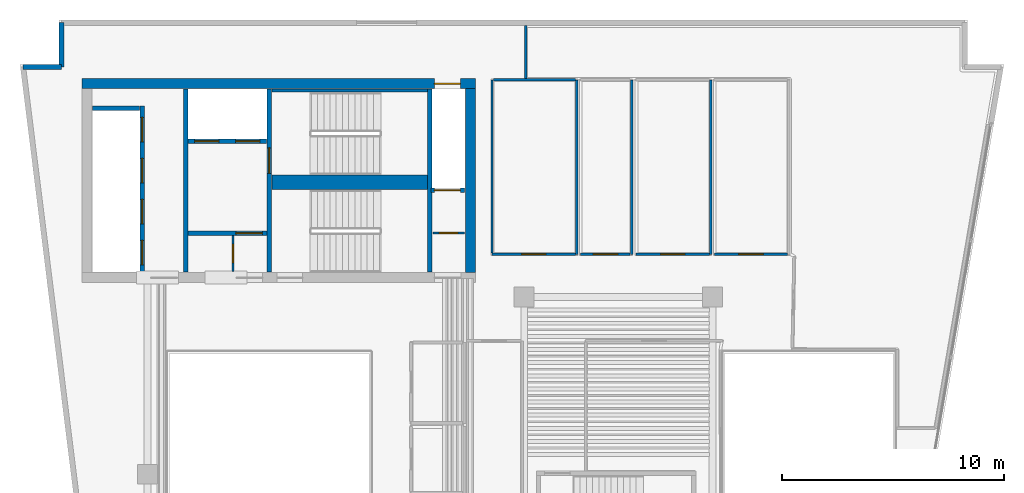
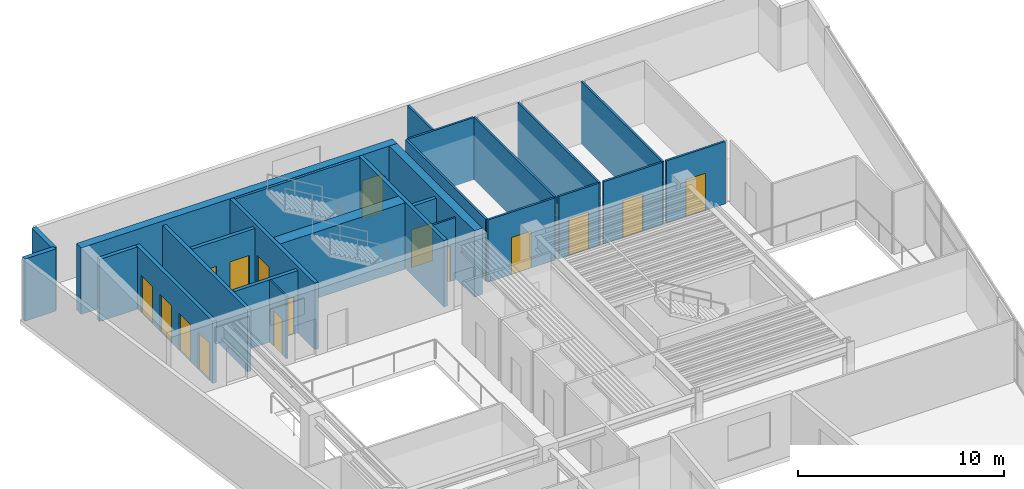
# One storey, part 5 of 9: 26 walls, 16 doors, 16 openings.
"""IFC4 building model written with IfcOpenShell, lengths in metres."""

from ifc_helpers import new_model, si_unit, direction, frame, frame_2d, origin, place, context, subcontext, project, spatial, rectangle, extrude, material, layer, layer_set, type_object, element, fill, save


model = new_model("IFC4")

# Units and contexts
model_context = context("Model", 3, precision=1e-05, world=origin(), true_north=direction((0.0, 1.0)))
body_context = subcontext(model_context, "Body", "Model", "MODEL_VIEW")
ifc_project = project(units=[si_unit("LENGTHUNIT", "METRE"), si_unit("AREAUNIT", "SQUARE_METRE"), si_unit("VOLUMEUNIT", "CUBIC_METRE"), si_unit("PLANEANGLEUNIT", "RADIAN"), si_unit("MASSUNIT", "GRAM", prefix="KILO")], contexts=[model_context])

# Site, building, storey
site_placement = place(None, origin())
site = spatial("IfcSite", under=ifc_project, at=site_placement, CompositionType="ELEMENT")
building_placement = place(site_placement, origin())
building = spatial("IfcBuilding", under=site, at=building_placement, Name="Caeloran Harvest Quay", CompositionType="ELEMENT")
storey_placement = place(building_placement, frame((0.0, 0.0, 231.14990234375)))
storey = spatial("IfcBuildingStorey", under=building, at=storey_placement, Name="L55", CompositionType="ELEMENT", Elevation=231.14990234375)

# Walls
ifc_material_1 = material(Name="Precast concrete C50/60", Category="concrete")
ifc_layer_1 = layer(ifc_material_1, 0.239990234375, Name="Precast concrete C50/60")
ifc_layer_set_1 = layer_set([ifc_layer_1], Name="Precast concrete C50/60")
wall_type_1 = type_object("IfcWallType", Name="ENV-WALL-EW-240", PredefinedType="STANDARD", material=ifc_layer_set_1)
wall_1_placement = place(storey_placement, frame((2.884765625, 41.3798828125, 0.0), z_axis=(0.0, 0.0, 1.0), x_axis=(1.0, 0.0, 0.0)))
element("IfcWall", 1, at=wall_1_placement, inside=storey, type_object=wall_type_1, Name="L55 Exterior Precast Concrete Facade Wall 4", PredefinedType="STANDARD", context=body_context, shape_type="SweptSolid", body=[
    extrude(rectangle(XDim=1.7353515625, YDim=0.239990234375, at=frame_2d((0.86767578125, 0.0))), origin(), (0.0, 0.0, 1.0), 3.7001953125),
])
wall_2_placement = place(storey_placement, frame((4.6201171875, 41.3798828125, 0.0), z_axis=(0.0, 0.0, 1.0), x_axis=(0.0, 1.0, 0.0)))
element("IfcWall", 2, at=wall_2_placement, inside=storey, type_object=wall_type_1, Name="L55 Exterior Precast Concrete Facade Wall 5", PredefinedType="STANDARD", context=body_context, shape_type="SweptSolid", body=[
    extrude(rectangle(XDim=2.0, YDim=0.239990234375, at=frame_2d((1.0, 0.0))), origin(), (0.0, 0.0, 1.0), 3.7001953125),
])

# Wall, opening, door
ifc_material_2 = material(Name="Fire-Resisting Gypsum Core Riser Partition", Category="gypsum")
ifc_layer_2 = layer(ifc_material_2, 0.10009765625, Name="Fire-Resisting Gypsum Core Riser Partition")
ifc_layer_set_2 = layer_set([ifc_layer_2], Name="Fire-Resisting Gypsum Core Riser Partition")
wall_type_2 = type_object("IfcWallType", Name="INT-WALL-PW-100", PredefinedType="PARTITIONING", material=ifc_layer_set_2)
wall_3_placement = place(storey_placement, frame((12.360107421875, 32.159912109375, 0.0), z_axis=(0.0, 0.0, 1.0), x_axis=(0.0, 1.0, 0.0)))
wall_3 = element("IfcWall", 3, at=wall_3_placement, inside=storey, type_object=wall_type_2, Name="L55 Core Store Partition Wall", PredefinedType="PARTITIONING", context=body_context, shape_type="SweptSolid", body=[
    extrude(rectangle(XDim=1.6201171875, YDim=0.10009765625, at=frame_2d((0.81005859375, 0.0))), origin(), (0.0, 0.0, 1.0), 3.7001953125),
])
opening_1_placement = place(wall_3_placement, frame((0.3798828125, 0.0, 0.0)))
opening_1 = element("IfcOpeningElement", 4, at=opening_1_placement, cuts=wall_3, Name="Opening SV-01", PredefinedType="OPENING", context=body_context, shape_type="SweptSolid", body=[
    extrude(rectangle(XDim=0.85009765625, YDim=2.10009765625, at=frame_2d((0.425048828125, 1.050048828125))), frame((0.0, 0.06005859375, 0.0), z_axis=(0.0, -1.0, 0.0), x_axis=(1.0, 0.0, 0.0)), (0.0, 0.0, 1.0), 0.1201171875),
])
ifc_material_3 = material(Name="Galvanized Painted Steel", Category="steel")
door_type_1 = type_object("IfcDoorType", Name="INTDOOR-SV-01", OperationType="NOTDEFINED", PredefinedType="DOOR", material=ifc_material_3)
door_1_placement = place(opening_1_placement, origin())
door_1 = element("IfcDoor", 5, at=door_1_placement, inside=storey, type_object=door_type_1, Name="L55 Core Service Room Access Door", OperationType="SINGLE_SWING_LEFT", OverallHeight=2.10009765625, OverallWidth=0.85009765625, PredefinedType="DOOR", context=body_context, shape_type="SweptSolid", body=[
    extrude(rectangle(XDim=0.85009765625, YDim=2.10009765625, at=frame_2d((0.425048828125, 1.050048828125))), frame((0.0, 0.02490234375, 0.0), z_axis=(0.0, -1.0, 0.0), x_axis=(1.0, 0.0, 0.0)), (0.0, 0.0, 1.0), 0.050048828125),
])
fill(opening_1, door_1)

wall_4_placement = place(storey_placement, frame((21.3798828125, 33.889892578125, 0.0), z_axis=(0.0, 0.0, 1.0), x_axis=(1.0, 0.0, 0.0)))
wall_4 = element("IfcWall", 6, at=wall_4_placement, inside=storey, type_object=wall_type_2, Name="L55 Cleaner Store Partition Wall", PredefinedType="PARTITIONING", context=body_context, shape_type="SweptSolid", body=[
    extrude(rectangle(XDim=1.420166015625, YDim=0.10009765625, at=frame_2d((0.7099609375, 0.0))), origin(), (0.0, 0.0, 1.0), 3.7001953125),
])
opening_2_placement = place(wall_4_placement, frame((0.280029296875, 0.0, 0.0)))
opening_2 = element("IfcOpeningElement", 7, at=opening_2_placement, cuts=wall_4, Name="Opening SV-01", PredefinedType="OPENING", context=body_context, shape_type="SweptSolid", body=[
    extrude(rectangle(XDim=0.85009765625, YDim=2.10009765625, at=frame_2d((0.425048828125, 1.050048828125))), frame((0.0, 0.06005859375, 0.0), z_axis=(0.0, -1.0, 0.0), x_axis=(1.0, 0.0, 0.0)), (0.0, 0.0, 1.0), 0.1201171875),
])
door_2_placement = place(opening_2_placement, origin())
door_2 = element("IfcDoor", 8, at=door_2_placement, inside=storey, type_object=door_type_1, Name="L55 Cleaner Supply Store Access Door", OperationType="SINGLE_SWING_RIGHT", OverallHeight=2.10009765625, OverallWidth=0.85009765625, PredefinedType="DOOR", context=body_context, shape_type="SweptSolid", body=[
    extrude(rectangle(XDim=0.85009765625, YDim=2.10009765625, at=frame_2d((0.425048828125, 1.050048828125))), frame((0.0, 0.02490234375, 0.0), z_axis=(0.0, -1.0, 0.0), x_axis=(1.0, 0.0, 0.0)), (0.0, 0.0, 1.0), 0.050048828125),
])
fill(opening_2, door_2)

# Wall
ifc_material_4 = material(Name="Single-Stud Acoustic Gypsum Office Partition", Category="gypsum")
ifc_layer_3 = layer(ifc_material_4, 0.112060546875, Name="Single-Stud Acoustic Gypsum Office Partition")
ifc_layer_set_3 = layer_set([ifc_layer_3], Name="Single-Stud Acoustic Gypsum Office Partition")
wall_type_3 = type_object("IfcWallType", Name="INT-WALL-PW-112", PredefinedType="PARTITIONING", material=ifc_layer_set_3)
wall_5_placement = place(storey_placement, frame((27.8798828125, 40.800048828125, 0.0), z_axis=(0.0, 0.0, 1.0), x_axis=(0.0, -1.0, 0.0)))
element("IfcWall", 9, at=wall_5_placement, inside=storey, type_object=wall_type_3, Name="L55 Crop Phenotyping West Laboratory Partition Wall", PredefinedType="PARTITIONING", context=body_context, shape_type="SweptSolid", body=[
    extrude(rectangle(XDim=7.880126953125, YDim=0.112060546875, at=frame_2d((3.93994140625, 0.0))), origin(), (0.0, 0.0, 1.0), 3.7001953125),
])

# Wall, opening, door
wall_6_placement = place(storey_placement, frame((27.819091796875, 32.919921875, 0.0), z_axis=(0.0, 0.0, 1.0), x_axis=(-1.0, 0.0, 0.0)))
wall_6 = element("IfcWall", 10, at=wall_6_placement, inside=storey, type_object=wall_type_3, Name="L55 Crop Phenotyping West Laboratory Partition Wall", PredefinedType="PARTITIONING", context=body_context, shape_type="SweptSolid", body=[
    extrude(rectangle(XDim=3.76904296875, YDim=0.112060546875, at=frame_2d((1.884521484375, 0.0))), origin(), (0.0, 0.0, 1.0), 3.7001953125),
])
opening_3_placement = place(wall_6_placement, frame((1.33447265625, 0.0, 0.0)))
opening_3 = element("IfcOpeningElement", 11, at=opening_3_placement, cuts=wall_6, Name="Opening ID-04", PredefinedType="OPENING", context=body_context, shape_type="SweptSolid", body=[
    extrude(rectangle(XDim=1.10009765625, YDim=2.199951171875, at=frame_2d((0.550048828125, 1.10009765625))), frame((0.0, 0.06591796875, 0.0), z_axis=(0.0, -1.0, 0.0), x_axis=(1.0, 0.0, 0.0)), (0.0, 0.0, 1.0), 0.132080078125),
])
ifc_material_5 = material(Name="Acoustic Walnut Veneer Executive Door", Category="wood")
door_type_2 = type_object("IfcDoorType", Name="INTDOOR-ID-04", OperationType="NOTDEFINED", PredefinedType="DOOR", material=ifc_material_5)
door_3_placement = place(opening_3_placement, origin())
door_3 = element("IfcDoor", 12, at=door_3_placement, inside=storey, type_object=door_type_2, Name="L55 Crop Phenotyping West Laboratory Access Door", OperationType="SINGLE_SWING_LEFT", OverallHeight=2.199951171875, OverallWidth=1.10009765625, PredefinedType="DOOR", context=body_context, shape_type="SweptSolid", body=[
    extrude(rectangle(XDim=1.10009765625, YDim=2.199951171875, at=frame_2d((0.550048828125, 1.10009765625))), frame((0.0, 0.02490234375, 0.0), z_axis=(0.0, -1.0, 0.0), x_axis=(1.0, 0.0, 0.0)), (0.0, 0.0, 1.0), 0.050048828125),
])
fill(opening_3, door_3)

# Walls
wall_7_placement = place(storey_placement, frame((24.050048828125, 32.98095703125, 0.0), z_axis=(0.0, 0.0, 1.0), x_axis=(0.0, 1.0, 0.0)))
element("IfcWall", 13, at=wall_7_placement, inside=storey, type_object=wall_type_3, Name="L55 Crop Phenotyping West Laboratory Partition Wall", PredefinedType="PARTITIONING", context=body_context, shape_type="SweptSolid", body=[
    extrude(rectangle(XDim=7.819091796875, YDim=0.112060546875, at=frame_2d((3.90966796875, 0.0))), origin(), (0.0, 0.0, 1.0), 3.7001953125),
])
wall_8_placement = place(storey_placement, frame((24.111083984375, 40.800048828125, 0.0), z_axis=(0.0, 0.0, 1.0), x_axis=(1.0, 0.0, 0.0)))
element("IfcWall", 14, at=wall_8_placement, inside=storey, type_object=wall_type_3, Name="L55 Crop Phenotyping West Laboratory Partition Wall", PredefinedType="PARTITIONING", context=body_context, shape_type="SweptSolid", body=[
    extrude(rectangle(XDim=3.7080078125, YDim=0.112060546875, at=frame_2d((1.85400390625, 0.0))), origin(), (0.0, 0.0, 1.0), 3.7001953125),
])
wall_9_placement = place(storey_placement, frame((30.35009765625, 40.800048828125, 0.0), z_axis=(0.0, 0.0, 1.0), x_axis=(0.0, -1.0, 0.0)))
element("IfcWall", 15, at=wall_9_placement, inside=storey, type_object=wall_type_3, Name="L55 Genomics Sequencing East Studio Partition Wall", PredefinedType="PARTITIONING", context=body_context, shape_type="SweptSolid", body=[
    extrude(rectangle(XDim=7.880126953125, YDim=0.112060546875, at=frame_2d((3.93994140625, 0.0))), origin(), (0.0, 0.0, 1.0), 3.7001953125),
])

# Wall, opening, door
wall_10_placement = place(storey_placement, frame((30.2890625, 32.919921875, 0.0), z_axis=(0.0, 0.0, 1.0), x_axis=(-1.0, 0.0, 0.0)))
wall_10 = element("IfcWall", 16, at=wall_10_placement, inside=storey, type_object=wall_type_3, Name="L55 Genomics Sequencing East Studio Partition Wall", PredefinedType="PARTITIONING", context=body_context, shape_type="SweptSolid", body=[
    extrude(rectangle(XDim=2.2490234375, YDim=0.112060546875, at=frame_2d((1.12451171875, 0.0))), origin(), (0.0, 0.0, 1.0), 3.7001953125),
])
opening_4_placement = place(wall_10_placement, frame((0.574462890625, 0.0, 0.0)))
opening_4 = element("IfcOpeningElement", 17, at=opening_4_placement, cuts=wall_10, Name="Opening ID-04", PredefinedType="OPENING", context=body_context, shape_type="SweptSolid", body=[
    extrude(rectangle(XDim=1.10009765625, YDim=2.199951171875, at=frame_2d((0.550048828125, 1.10009765625))), frame((0.0, 0.06591796875, 0.0), z_axis=(0.0, -1.0, 0.0), x_axis=(1.0, 0.0, 0.0)), (0.0, 0.0, 1.0), 0.132080078125),
])
door_4_placement = place(opening_4_placement, origin())
door_4 = element("IfcDoor", 18, at=door_4_placement, inside=storey, type_object=door_type_2, Name="L55 Genomics Sequencing East Studio Access Door", OperationType="SINGLE_SWING_RIGHT", OverallHeight=2.199951171875, OverallWidth=1.10009765625, PredefinedType="DOOR", context=body_context, shape_type="SweptSolid", body=[
    extrude(rectangle(XDim=1.10009765625, YDim=2.199951171875, at=frame_2d((0.550048828125, 1.10009765625))), frame((0.0, 0.02490234375, 0.0), z_axis=(0.0, -1.0, 0.0), x_axis=(1.0, 0.0, 0.0)), (0.0, 0.0, 1.0), 0.050048828125),
])
fill(opening_4, door_4)

# Wall
wall_11_placement = place(storey_placement, frame((33.919921875, 40.800048828125, 0.0), z_axis=(0.0, 0.0, 1.0), x_axis=(0.0, -1.0, 0.0)))
element("IfcWall", 19, at=wall_11_placement, inside=storey, type_object=wall_type_3, Name="L55 Agri-Genomics West Boardroom Partition Wall", PredefinedType="PARTITIONING", context=body_context, shape_type="SweptSolid", body=[
    extrude(rectangle(XDim=7.880126953125, YDim=0.112060546875, at=frame_2d((3.93994140625, 0.0))), origin(), (0.0, 0.0, 1.0), 3.7001953125),
])

# Wall, opening, door
wall_12_placement = place(storey_placement, frame((33.85888671875, 32.919921875, 0.0), z_axis=(0.0, 0.0, 1.0), x_axis=(-1.0, 0.0, 0.0)))
wall_12 = element("IfcWall", 20, at=wall_12_placement, inside=storey, type_object=wall_type_3, Name="L55 Agri-Genomics West Boardroom Partition Wall", PredefinedType="PARTITIONING", context=body_context, shape_type="SweptSolid", body=[
    extrude(rectangle(XDim=3.308837890625, YDim=0.112060546875, at=frame_2d((1.654296875, 0.0))), origin(), (0.0, 0.0, 1.0), 3.7001953125),
])
opening_5_placement = place(wall_12_placement, frame((1.1044921875, 0.0, 0.0)))
opening_5 = element("IfcOpeningElement", 21, at=opening_5_placement, cuts=wall_12, Name="Opening ID-04", PredefinedType="OPENING", context=body_context, shape_type="SweptSolid", body=[
    extrude(rectangle(XDim=1.10009765625, YDim=2.199951171875, at=frame_2d((0.550048828125, 1.10009765625))), frame((0.0, 0.06591796875, 0.0), z_axis=(0.0, -1.0, 0.0), x_axis=(1.0, 0.0, 0.0)), (0.0, 0.0, 1.0), 0.132080078125),
])
door_5_placement = place(opening_5_placement, origin())
door_5 = element("IfcDoor", 22, at=door_5_placement, inside=storey, type_object=door_type_2, Name="L55 Agri-Genomics West Boardroom Access Door", OperationType="SINGLE_SWING_LEFT", OverallHeight=2.199951171875, OverallWidth=1.10009765625, PredefinedType="DOOR", context=body_context, shape_type="SweptSolid", body=[
    extrude(rectangle(XDim=1.10009765625, YDim=2.199951171875, at=frame_2d((0.550048828125, 1.10009765625))), frame((0.0, 0.02490234375, 0.0), z_axis=(0.0, -1.0, 0.0), x_axis=(1.0, 0.0, 0.0)), (0.0, 0.0, 1.0), 0.050048828125),
])
fill(opening_5, door_5)

wall_13_placement = place(storey_placement, frame((37.388916015625, 32.919921875, 0.0), z_axis=(0.0, 0.0, 1.0), x_axis=(-1.0, 0.0, 0.0)))
wall_13 = element("IfcWall", 23, at=wall_13_placement, inside=storey, type_object=wall_type_3, Name="L55 Executive Strategy East Office Partition Wall", PredefinedType="PARTITIONING", context=body_context, shape_type="SweptSolid", body=[
    extrude(rectangle(XDim=3.308837890625, YDim=0.112060546875, at=frame_2d((1.654296875, 0.0))), origin(), (0.0, 0.0, 1.0), 3.7001953125),
])
opening_6_placement = place(wall_13_placement, frame((1.1044921875, 0.0, 0.0)))
opening_6 = element("IfcOpeningElement", 24, at=opening_6_placement, cuts=wall_13, Name="Opening ID-04", PredefinedType="OPENING", context=body_context, shape_type="SweptSolid", body=[
    extrude(rectangle(XDim=1.10009765625, YDim=2.199951171875, at=frame_2d((0.550048828125, 1.10009765625))), frame((0.0, 0.06591796875, 0.0), z_axis=(0.0, -1.0, 0.0), x_axis=(1.0, 0.0, 0.0)), (0.0, 0.0, 1.0), 0.132080078125),
])
door_6_placement = place(opening_6_placement, origin())
door_6 = element("IfcDoor", 25, at=door_6_placement, inside=storey, type_object=door_type_2, Name="L55 Executive Strategy East Office Access Door", OperationType="SINGLE_SWING_RIGHT", OverallHeight=2.199951171875, OverallWidth=1.10009765625, PredefinedType="DOOR", context=body_context, shape_type="SweptSolid", body=[
    extrude(rectangle(XDim=1.10009765625, YDim=2.199951171875, at=frame_2d((0.550048828125, 1.10009765625))), frame((0.0, 0.02490234375, 0.0), z_axis=(0.0, -1.0, 0.0), x_axis=(1.0, 0.0, 0.0)), (0.0, 0.0, 1.0), 0.050048828125),
])
fill(opening_6, door_6)

# Wall
wall_14_placement = place(storey_placement, frame((25.580078125, 40.861083984375, 0.0), z_axis=(0.0, 0.0, 1.0), x_axis=(0.0, 1.0, 0.0)))
element("IfcWall", 26, at=wall_14_placement, inside=storey, type_object=wall_type_3, Name="Digital Exhibit Archive Store Partition Wall", PredefinedType="PARTITIONING", context=body_context, shape_type="SweptSolid", body=[
    extrude(rectangle(XDim=2.393798828125, YDim=0.112060546875, at=frame_2d((1.19677734375, 0.0))), origin(), (0.0, 0.0, 1.0), 3.7001953125),
])

# Wall, openings, doors
ifc_material_6 = material(Name="Concrete C50/60", Category="concrete")
ifc_layer_4 = layer(ifc_material_6, 0.199951171875, Name="Concrete C50/60")
ifc_layer_set_4 = layer_set([ifc_layer_4], Name="Concrete C50/60")
wall_type_4 = type_object("IfcWallType", Name="INT-WALL-SW-200", PredefinedType="PARTITIONING", material=ifc_layer_set_4)
wall_15_placement = place(storey_placement, frame((8.260009765625, 32.1201171875, 0.0), z_axis=(0.0, 0.0, 1.0), x_axis=(0.0, 1.0, 0.0)))
wall_15 = element("IfcWall", 27, at=wall_15_placement, inside=storey, type_object=wall_type_4, Name="L55 Bank 3 Lift Shaft Wall", PredefinedType="PARTITIONING", context=body_context, shape_type="SweptSolid", body=[
    extrude(rectangle(XDim=7.5, YDim=0.199951171875, at=frame_2d((3.75, 0.0))), origin(), (0.0, 0.0, 1.0), 3.7001953125),
])
opening_7_placement = place(wall_15_placement, frame((0.330078125, 0.0, 0.0)))
opening_7 = element("IfcOpeningElement", 28, at=opening_7_placement, cuts=wall_15, Name="Opening LD-01", PredefinedType="OPENING", context=body_context, shape_type="SweptSolid", body=[
    extrude(rectangle(XDim=1.10009765625, YDim=2.199951171875, at=frame_2d((0.550048828125, 1.10009765625))), frame((0.0, 0.10986328125, 0.0), z_axis=(0.0, -1.0, 0.0), x_axis=(1.0, 0.0, 0.0)), (0.0, 0.0, 1.0), 0.219970703125),
])
opening_8_placement = place(wall_15_placement, frame((2.179931640625, 0.0, 0.0)))
opening_8 = element("IfcOpeningElement", 29, at=opening_8_placement, cuts=wall_15, Name="Opening LD-01", PredefinedType="OPENING", context=body_context, shape_type="SweptSolid", body=[
    extrude(rectangle(XDim=1.10009765625, YDim=2.199951171875, at=frame_2d((0.550048828125, 1.10009765625))), frame((0.0, 0.10986328125, 0.0), z_axis=(0.0, -1.0, 0.0), x_axis=(1.0, 0.0, 0.0)), (0.0, 0.0, 1.0), 0.219970703125),
])
opening_9_placement = place(wall_15_placement, frame((4.030029296875, 0.0, 0.0)))
opening_9 = element("IfcOpeningElement", 30, at=opening_9_placement, cuts=wall_15, Name="Opening LD-01", PredefinedType="OPENING", context=body_context, shape_type="SweptSolid", body=[
    extrude(rectangle(XDim=1.10009765625, YDim=2.199951171875, at=frame_2d((0.550048828125, 1.10009765625))), frame((0.0, 0.10986328125, 0.0), z_axis=(0.0, -1.0, 0.0), x_axis=(1.0, 0.0, 0.0)), (0.0, 0.0, 1.0), 0.219970703125),
])
opening_10_placement = place(wall_15_placement, frame((5.8798828125, 0.0, 0.0)))
opening_10 = element("IfcOpeningElement", 31, at=opening_10_placement, cuts=wall_15, Name="Opening LD-01", PredefinedType="OPENING", context=body_context, shape_type="SweptSolid", body=[
    extrude(rectangle(XDim=1.10009765625, YDim=2.199951171875, at=frame_2d((0.550048828125, 1.10009765625))), frame((0.0, 0.10986328125, 0.0), z_axis=(0.0, -1.0, 0.0), x_axis=(1.0, 0.0, 0.0)), (0.0, 0.0, 1.0), 0.219970703125),
])
ifc_material_7 = material(Name="Stainless Steel Grade 316", Category="steel")
door_type_3 = type_object("IfcDoorType", Name="INTDOOR-LD-01", OperationType="NOTDEFINED", PredefinedType="DOOR", material=ifc_material_7)
door_7_placement = place(opening_7_placement, origin())
door_7 = element("IfcDoor", 32, at=door_7_placement, inside=storey, type_object=door_type_3, Name="Lift P3-1 Sliding Landing Door (L55)", OperationType="DOUBLE_DOOR_SLIDING", OverallHeight=2.199951171875, OverallWidth=1.10009765625, PredefinedType="DOOR", context=body_context, shape_type="SweptSolid", body=[
    extrude(rectangle(XDim=1.10009765625, YDim=2.199951171875, at=frame_2d((0.550048828125, 1.10009765625))), frame((0.0, 0.02490234375, 0.0), z_axis=(0.0, -1.0, 0.0), x_axis=(1.0, 0.0, 0.0)), (0.0, 0.0, 1.0), 0.050048828125),
])
fill(opening_7, door_7)
door_8_placement = place(opening_8_placement, origin())
door_8 = element("IfcDoor", 33, at=door_8_placement, inside=storey, type_object=door_type_3, Name="Lift P3-2 Sliding Landing Door (L55)", OperationType="DOUBLE_DOOR_SLIDING", OverallHeight=2.199951171875, OverallWidth=1.10009765625, PredefinedType="DOOR", context=body_context, shape_type="SweptSolid", body=[
    extrude(rectangle(XDim=1.10009765625, YDim=2.199951171875, at=frame_2d((0.550048828125, 1.10009765625))), frame((0.0, 0.02490234375, 0.0), z_axis=(0.0, -1.0, 0.0), x_axis=(1.0, 0.0, 0.0)), (0.0, 0.0, 1.0), 0.050048828125),
])
fill(opening_8, door_8)
door_9_placement = place(opening_9_placement, origin())
door_9 = element("IfcDoor", 34, at=door_9_placement, inside=storey, type_object=door_type_3, Name="Lift P3-3 Sliding Landing Door (L55)", OperationType="DOUBLE_DOOR_SLIDING", OverallHeight=2.199951171875, OverallWidth=1.10009765625, PredefinedType="DOOR", context=body_context, shape_type="SweptSolid", body=[
    extrude(rectangle(XDim=1.10009765625, YDim=2.199951171875, at=frame_2d((0.550048828125, 1.10009765625))), frame((0.0, 0.02490234375, 0.0), z_axis=(0.0, -1.0, 0.0), x_axis=(1.0, 0.0, 0.0)), (0.0, 0.0, 1.0), 0.050048828125),
])
fill(opening_9, door_9)
door_10_placement = place(opening_10_placement, origin())
door_10 = element("IfcDoor", 35, at=door_10_placement, inside=storey, type_object=door_type_3, Name="Lift P3-4 Sliding Landing Door (L55)", OperationType="DOUBLE_DOOR_SLIDING", OverallHeight=2.199951171875, OverallWidth=1.10009765625, PredefinedType="DOOR", context=body_context, shape_type="SweptSolid", body=[
    extrude(rectangle(XDim=1.10009765625, YDim=2.199951171875, at=frame_2d((0.550048828125, 1.10009765625))), frame((0.0, 0.02490234375, 0.0), z_axis=(0.0, -1.0, 0.0), x_axis=(1.0, 0.0, 0.0)), (0.0, 0.0, 1.0), 0.050048828125),
])
fill(opening_10, door_10)

# Walls
wall_16_placement = place(storey_placement, frame((6.02001953125, 39.52001953125, 0.0), z_axis=(0.0, 0.0, 1.0), x_axis=(1.0, 0.0, 0.0)))
element("IfcWall", 36, at=wall_16_placement, inside=storey, type_object=wall_type_4, Name="L55 Bank 3 Lift Shaft North End Wall", PredefinedType="PARTITIONING", context=body_context, shape_type="SweptSolid", body=[
    extrude(rectangle(XDim=2.119873046875, YDim=0.199951171875, at=frame_2d((1.06005859375, 0.0))), origin(), (0.0, 0.0, 1.0), 3.7001953125),
])
wall_17_placement = place(storey_placement, frame((10.219970703125, 32.1201171875, 0.0), z_axis=(0.0, 0.0, 1.0), x_axis=(0.0, 1.0, 0.0)))
element("IfcWall", 37, at=wall_17_placement, inside=storey, type_object=wall_type_4, Name="L55 Core Lobby Compartment Wall", PredefinedType="PARTITIONING", context=body_context, shape_type="SweptSolid", body=[
    extrude(rectangle(XDim=8.259765625, YDim=0.199951171875, at=frame_2d((4.1298828125, 0.0))), origin(), (0.0, 0.0, 1.0), 3.7001953125),
])

# Wall, openings, doors
wall_18_placement = place(storey_placement, frame((10.340087890625, 38.02001953125, 0.0), z_axis=(0.0, 0.0, 1.0), x_axis=(1.0, 0.0, 0.0)))
wall_18 = element("IfcWall", 38, at=wall_18_placement, inside=storey, type_object=wall_type_4, Name="L55 Firefighting Lift Shaft Wall", PredefinedType="PARTITIONING", context=body_context, shape_type="SweptSolid", body=[
    extrude(rectangle(XDim=3.539794921875, YDim=0.199951171875, at=frame_2d((1.77001953125, 0.0))), origin(), (0.0, 0.0, 1.0), 3.7001953125),
])
opening_11_placement = place(wall_18_placement, frame((0.284912109375, 0.0, 0.0)))
opening_11 = element("IfcOpeningElement", 39, at=opening_11_placement, cuts=wall_18, Name="Opening LD-01", PredefinedType="OPENING", context=body_context, shape_type="SweptSolid", body=[
    extrude(rectangle(XDim=1.10009765625, YDim=2.199951171875, at=frame_2d((0.550048828125, 1.10009765625))), frame((0.0, 0.10986328125, 0.0), z_axis=(0.0, -1.0, 0.0), x_axis=(1.0, 0.0, 0.0)), (0.0, 0.0, 1.0), 0.219970703125),
])
opening_12_placement = place(wall_18_placement, frame((2.135009765625, 0.0, 0.0)))
opening_12 = element("IfcOpeningElement", 40, at=opening_12_placement, cuts=wall_18, Name="Opening LD-01", PredefinedType="OPENING", context=body_context, shape_type="SweptSolid", body=[
    extrude(rectangle(XDim=1.10009765625, YDim=2.199951171875, at=frame_2d((0.550048828125, 1.10009765625))), frame((0.0, 0.10986328125, 0.0), z_axis=(0.0, -1.0, 0.0), x_axis=(1.0, 0.0, 0.0)), (0.0, 0.0, 1.0), 0.219970703125),
])
door_11_placement = place(opening_11_placement, origin())
door_11 = element("IfcDoor", 41, at=door_11_placement, inside=storey, type_object=door_type_3, Name="Lift FF-1 Sliding Landing Door (L55)", OperationType="DOUBLE_DOOR_SLIDING", OverallHeight=2.199951171875, OverallWidth=1.10009765625, PredefinedType="DOOR", context=body_context, shape_type="SweptSolid", body=[
    extrude(rectangle(XDim=1.10009765625, YDim=2.199951171875, at=frame_2d((0.550048828125, 1.10009765625))), frame((0.0, 0.02490234375, 0.0), z_axis=(0.0, -1.0, 0.0), x_axis=(1.0, 0.0, 0.0)), (0.0, 0.0, 1.0), 0.050048828125),
])
fill(opening_11, door_11)
door_12_placement = place(opening_12_placement, origin())
door_12 = element("IfcDoor", 42, at=door_12_placement, inside=storey, type_object=door_type_3, Name="Lift FF-2 Sliding Landing Door (L55)", OperationType="DOUBLE_DOOR_SLIDING", OverallHeight=2.199951171875, OverallWidth=1.10009765625, PredefinedType="DOOR", context=body_context, shape_type="SweptSolid", body=[
    extrude(rectangle(XDim=1.10009765625, YDim=2.199951171875, at=frame_2d((0.550048828125, 1.10009765625))), frame((0.0, 0.02490234375, 0.0), z_axis=(0.0, -1.0, 0.0), x_axis=(1.0, 0.0, 0.0)), (0.0, 0.0, 1.0), 0.050048828125),
])
fill(opening_12, door_12)

# Wall, opening, door
wall_19_placement = place(storey_placement, frame((10.340087890625, 33.8798828125, 0.0), z_axis=(0.0, 0.0, 1.0), x_axis=(1.0, 0.0, 0.0)))
wall_19 = element("IfcWall", 43, at=wall_19_placement, inside=storey, type_object=wall_type_4, Name="L55 Firefighting Lift Lobby Enclosure Wall", PredefinedType="PARTITIONING", context=body_context, shape_type="SweptSolid", body=[
    extrude(rectangle(XDim=3.559814453125, YDim=0.199951171875, at=frame_2d((1.77978515625, 0.0))), origin(), (0.0, 0.0, 1.0), 3.7001953125),
])
opening_13_placement = place(wall_19_placement, frame((2.14990234375, 0.0, 0.0)))
opening_13 = element("IfcOpeningElement", 44, at=opening_13_placement, cuts=wall_19, Name="Opening FD-01", PredefinedType="OPENING", context=body_context, shape_type="SweptSolid", body=[
    extrude(rectangle(XDim=1.199951171875, YDim=2.199951171875, at=frame_2d((0.60009765625, 1.10009765625))), frame((0.0, 0.10986328125, 0.0), z_axis=(0.0, -1.0, 0.0), x_axis=(1.0, 0.0, 0.0)), (0.0, 0.0, 1.0), 0.219970703125),
])
ifc_material_8 = material(Name="Steel", Category="steel")
door_type_4 = type_object("IfcDoorType", Name="INTDOOR-FD-01", OperationType="NOTDEFINED", PredefinedType="DOOR", material=ifc_material_8)
door_13_placement = place(opening_13_placement, origin())
door_13 = element("IfcDoor", 45, at=door_13_placement, inside=storey, type_object=door_type_4, Name="L55 Firefighting Lift Lobby Smoke-Seal Fire Door", OperationType="SINGLE_SWING_LEFT", OverallHeight=2.199951171875, OverallWidth=1.199951171875, PredefinedType="DOOR", context=body_context, shape_type="SweptSolid", body=[
    extrude(rectangle(XDim=1.199951171875, YDim=2.199951171875, at=frame_2d((0.60009765625, 1.10009765625))), frame((0.0, 0.02490234375, 0.0), z_axis=(0.0, -1.0, 0.0), x_axis=(1.0, 0.0, 0.0)), (0.0, 0.0, 1.0), 0.050048828125),
])
fill(opening_13, door_13)

wall_20_placement = place(storey_placement, frame((21.300048828125, 35.820068359375, 0.0), z_axis=(0.0, 0.0, 1.0), x_axis=(1.0, 0.0, 0.0)))
wall_20 = element("IfcWall", 46, at=wall_20_placement, inside=storey, type_object=wall_type_4, Name="L55 Service Lift SV-2 Shaft Wall", PredefinedType="PARTITIONING", context=body_context, shape_type="SweptSolid", body=[
    extrude(rectangle(XDim=1.5, YDim=0.199951171875, at=frame_2d((0.75, 0.0))), origin(), (0.0, 0.0, 1.0), 3.7001953125),
])
opening_14_placement = place(wall_20_placement, frame((0.14501953125, 0.0, 0.0)))
opening_14 = element("IfcOpeningElement", 47, at=opening_14_placement, cuts=wall_20, Name="Opening LD-02", PredefinedType="OPENING", context=body_context, shape_type="SweptSolid", body=[
    extrude(rectangle(XDim=1.179931640625, YDim=2.25, at=frame_2d((0.58984375, 1.125))), frame((0.0, 0.10986328125, 0.0), z_axis=(0.0, -1.0, 0.0), x_axis=(1.0, 0.0, 0.0)), (0.0, 0.0, 1.0), 0.219970703125),
])
door_type_5 = type_object("IfcDoorType", Name="INTDOOR-LD-02", OperationType="NOTDEFINED", PredefinedType="DOOR", material=ifc_material_7)
door_14_placement = place(opening_14_placement, origin())
door_14 = element("IfcDoor", 48, at=door_14_placement, inside=storey, type_object=door_type_5, Name="Lift SV-2 Sliding Landing Door (L55)", OperationType="DOUBLE_DOOR_SLIDING", OverallHeight=2.25, OverallWidth=1.179931640625, PredefinedType="DOOR", context=body_context, shape_type="SweptSolid", body=[
    extrude(rectangle(XDim=1.179931640625, YDim=2.25, at=frame_2d((0.58984375, 1.125))), frame((0.0, 0.02490234375, 0.0), z_axis=(0.0, -1.0, 0.0), x_axis=(1.0, 0.0, 0.0)), (0.0, 0.0, 1.0), 0.050048828125),
])
fill(opening_14, door_14)

ifc_material_9 = material(Name="Concrete C60/75", Category="concrete")
ifc_layer_5 = layer(ifc_material_9, 0.449951171875, Name="Concrete C60/75")
ifc_layer_set_5 = layer_set([ifc_layer_5], Name="Concrete C60/75")
wall_type_5 = type_object("IfcWallType", Name="STR-WALL-CW-450", PredefinedType="SHEAR", material=ifc_layer_set_5)
wall_21_placement = place(storey_placement, frame((5.550048828125, 40.625, 0.0), z_axis=(0.0, 0.0, 1.0), x_axis=(1.0, 0.0, 0.0)))
wall_21 = element("IfcWall", 49, at=wall_21_placement, inside=storey, type_object=wall_type_5, Name="L55 Rear Core Shear Wall N", PredefinedType="SHEAR", context=body_context, shape_type="SweptSolid", body=[
    extrude(rectangle(XDim=17.75, YDim=0.449951171875, at=frame_2d((8.875, 0.0))), origin(), (0.0, 0.0, 1.0), 3.9501953125),
])
opening_15_placement = place(wall_21_placement, frame((15.89501953125, 0.0, 0.0)))
opening_15 = element("IfcOpeningElement", 50, at=opening_15_placement, cuts=wall_21, Name="Opening LD-02", PredefinedType="OPENING", context=body_context, shape_type="SweptSolid", body=[
    extrude(rectangle(XDim=1.179931640625, YDim=2.25, at=frame_2d((0.58984375, 1.125))), frame((0.0, 0.23486328125, 0.0), z_axis=(0.0, -1.0, 0.0), x_axis=(1.0, 0.0, 0.0)), (0.0, 0.0, 1.0), 0.469970703125),
])
door_15_placement = place(opening_15_placement, origin())
door_15 = element("IfcDoor", 51, at=door_15_placement, inside=storey, type_object=door_type_5, Name="Lift SV-1 Sliding Landing Door (L55)", OperationType="DOUBLE_DOOR_SLIDING", OverallHeight=2.25, OverallWidth=1.179931640625, PredefinedType="DOOR", context=body_context, shape_type="SweptSolid", body=[
    extrude(rectangle(XDim=1.179931640625, YDim=2.25, at=frame_2d((0.58984375, 1.125))), frame((0.0, 0.02490234375, 0.0), z_axis=(0.0, -1.0, 0.0), x_axis=(1.0, 0.0, 0.0)), (0.0, 0.0, 1.0), 0.050048828125),
])
fill(opening_15, door_15)

# Walls
wall_22_placement = place(storey_placement, frame((23.074951171875, 32.10009765625, 0.0), z_axis=(0.0, 0.0, 1.0), x_axis=(0.0, 1.0, 0.0)))
element("IfcWall", 52, at=wall_22_placement, inside=storey, type_object=wall_type_5, Name="L55 Rear Core Shear Wall E", PredefinedType="SHEAR", context=body_context, shape_type="SweptSolid", body=[
    extrude(rectangle(XDim=8.2998046875, YDim=0.449951171875, at=frame_2d((4.14990234375, 0.0))), origin(), (0.0, 0.0, 1.0), 3.9501953125),
])
ifc_layer_6 = layer(ifc_material_9, 0.64990234375, Name="Concrete C60/75")
ifc_layer_set_6 = layer_set([ifc_layer_6], Name="Concrete C60/75")
wall_type_6 = type_object("IfcWallType", Name="STR-WALL-CW-650", PredefinedType="SHEAR", material=ifc_layer_set_6)
wall_23_placement = place(storey_placement, frame((14.1201171875, 36.175048828125, 0.0), z_axis=(0.0, 0.0, 1.0), x_axis=(1.0, 0.0, 0.0)))
element("IfcWall", 53, at=wall_23_placement, inside=storey, type_object=wall_type_6, Name="L55 Core Stairs Dividing Shear Wall", PredefinedType="SHEAR", context=body_context, shape_type="SweptSolid", body=[
    extrude(rectangle(XDim=7.009765625, YDim=0.64990234375, at=frame_2d((3.5048828125, 0.0))), origin(), (0.0, 0.0, 1.0), 3.9501953125),
])
ifc_layer_7 = layer(ifc_material_9, 0.139892578125, Name="Concrete C60/75")
ifc_layer_set_7 = layer_set([ifc_layer_7], Name="Concrete C60/75")
wall_type_7 = type_object("IfcWallType", Name="STR-WALL-SW-140", PredefinedType="SHEAR", material=ifc_layer_set_7)
wall_24_placement = place(storey_placement, frame((14.1201171875, 40.320068359375, 0.0), z_axis=(0.0, 0.0, 1.0), x_axis=(1.0, 0.0, 0.0)))
element("IfcWall", 54, at=wall_24_placement, inside=storey, type_object=wall_type_7, Name="L55 Core Stair ST-C1 North Bearing Shear Wall", PredefinedType="SHEAR", context=body_context, shape_type="SweptSolid", body=[
    extrude(rectangle(XDim=7.009765625, YDim=0.139892578125, at=frame_2d((3.5048828125, 0.0))), origin(), (0.0, 0.0, 1.0), 3.9501953125),
])

# Wall, opening, door
ifc_layer_8 = layer(ifc_material_9, 0.199951171875, Name="Concrete C60/75")
ifc_layer_set_8 = layer_set([ifc_layer_8], Name="Concrete C60/75")
wall_type_8 = type_object("IfcWallType", Name="STR-WALL-SW-200", PredefinedType="SHEAR", material=ifc_layer_set_8)
wall_25_placement = place(storey_placement, frame((14.0, 32.1201171875, 0.0), z_axis=(0.0, 0.0, 1.0), x_axis=(0.0, 1.0, 0.0)))
wall_25 = element("IfcWall", 55, at=wall_25_placement, inside=storey, type_object=wall_type_8, Name="L55 Core Stair Shaft West Shear Wall", PredefinedType="SHEAR", context=body_context, shape_type="SweptSolid", body=[
    extrude(rectangle(XDim=8.259765625, YDim=0.199951171875, at=frame_2d((4.1298828125, 0.0))), origin(), (0.0, 0.0, 1.0), 3.9501953125),
])
opening_16_placement = place(wall_25_placement, frame((4.4599609375, 0.0, 0.0)))
opening_16 = element("IfcOpeningElement", 56, at=opening_16_placement, cuts=wall_25, Name="Opening SD-01", PredefinedType="OPENING", context=body_context, shape_type="SweptSolid", body=[
    extrude(rectangle(XDim=1.14990234375, YDim=2.199951171875, at=frame_2d((0.574951171875, 1.10009765625))), frame((0.0, 0.10986328125, 0.0), z_axis=(0.0, -1.0, 0.0), x_axis=(1.0, 0.0, 0.0)), (0.0, 0.0, 1.0), 0.219970703125),
])
door_type_6 = type_object("IfcDoorType", Name="INTDOOR-SD-01", OperationType="NOTDEFINED", PredefinedType="DOOR", material=ifc_material_8)
door_16_placement = place(opening_16_placement, origin())
door_16 = element("IfcDoor", 57, at=door_16_placement, inside=storey, type_object=door_type_6, Name="L55 Protected Stair ST-C1 Exit Door", OperationType="SINGLE_SWING_LEFT", OverallHeight=2.199951171875, OverallWidth=1.14990234375, PredefinedType="DOOR", context=body_context, shape_type="SweptSolid", body=[
    extrude(rectangle(XDim=1.14990234375, YDim=2.199951171875, at=frame_2d((0.574951171875, 1.10009765625))), frame((0.0, 0.02490234375, 0.0), z_axis=(0.0, -1.0, 0.0), x_axis=(1.0, 0.0, 0.0)), (0.0, 0.0, 1.0), 0.050048828125),
])
fill(opening_16, door_16)

# Wall
wall_26_placement = place(storey_placement, frame((21.25, 32.1201171875, 0.0), z_axis=(0.0, 0.0, 1.0), x_axis=(0.0, 1.0, 0.0)))
element("IfcWall", 58, at=wall_26_placement, inside=storey, type_object=wall_type_8, Name="L55 Core Stair Shaft East Shear Wall", PredefinedType="SHEAR", context=body_context, shape_type="SweptSolid", body=[
    extrude(rectangle(XDim=8.259765625, YDim=0.199951171875, at=frame_2d((4.1298828125, 0.0))), origin(), (0.0, 0.0, 1.0), 3.9501953125),
])

save(model, "model.ifc")
